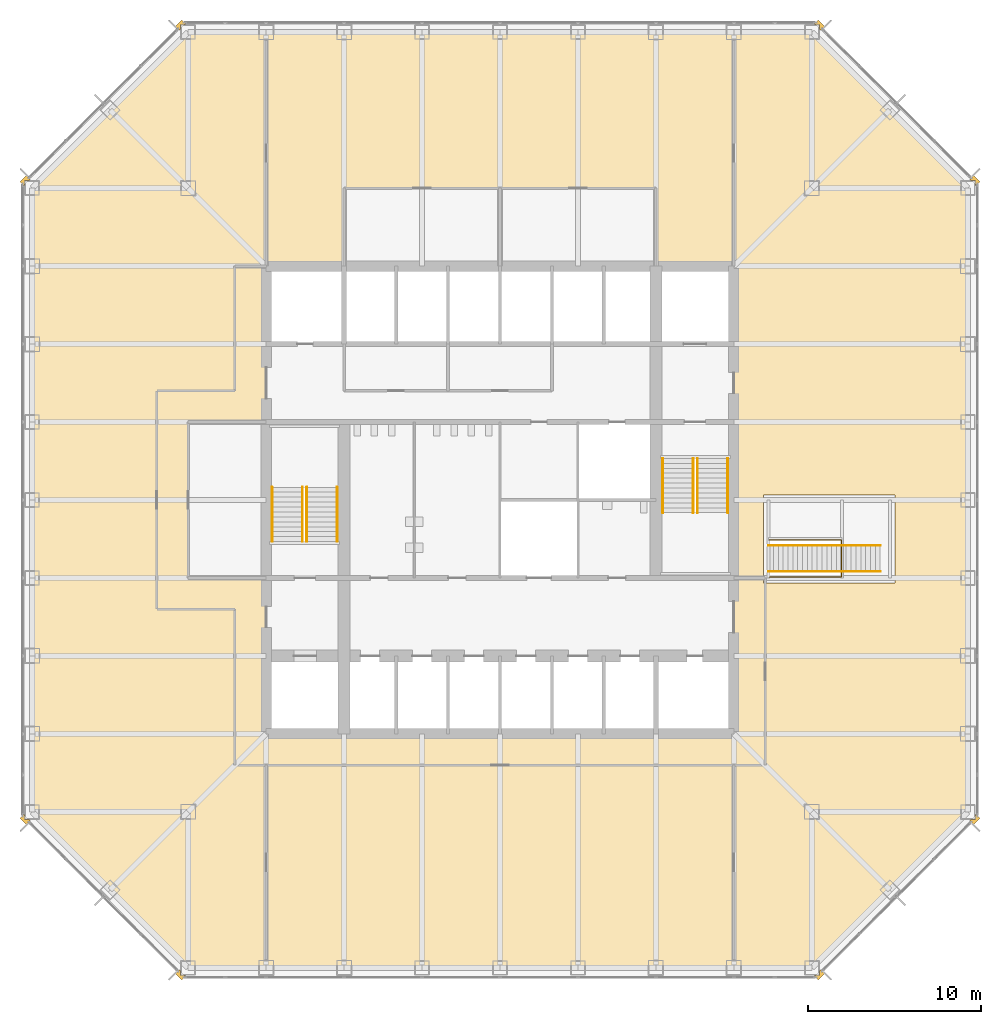
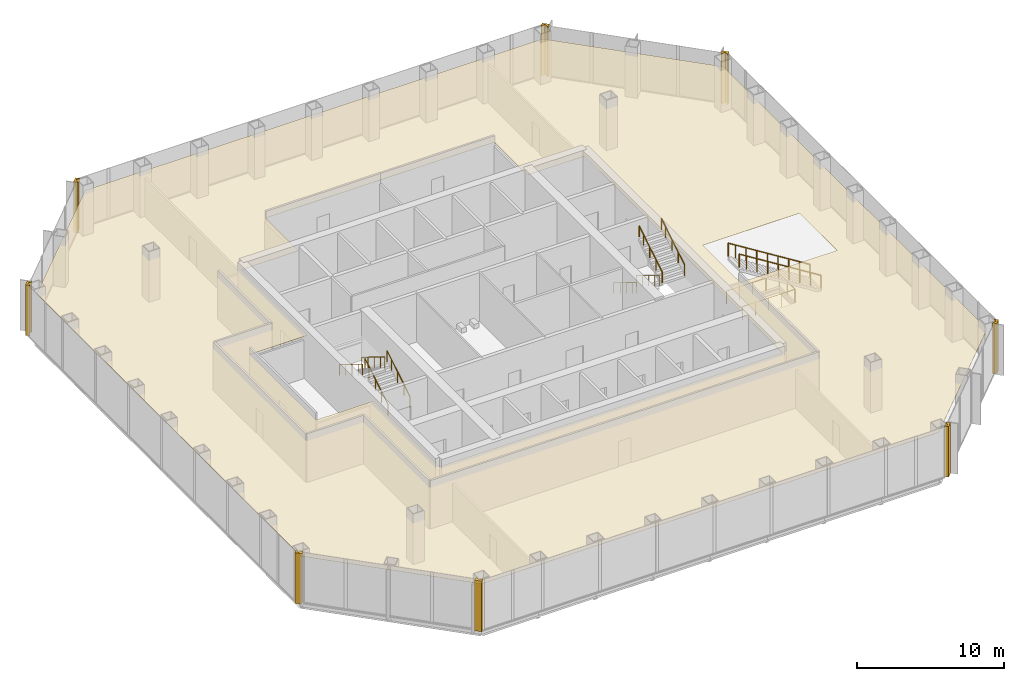
# One storey, part 11 of 12: 11 railings, 9 coverings.
"""IFC4 building model written with IfcOpenShell, lengths in metres."""

from ifc_helpers import new_model, si_unit, direction, frame, origin, origin_2d, place, context, subcontext, project, spatial, polyline, circle, outline, extrude, material, layer, layer_set, type_object, element, save


model = new_model("IFC4")

# Units and contexts
model_context = context("Model", 3, precision=1e-05, world=origin(), true_north=direction((0.0, 1.0)))
body_context = subcontext(model_context, "Body", "Model", "MODEL_VIEW")
ifc_project = project(units=[si_unit("LENGTHUNIT", "METRE"), si_unit("AREAUNIT", "SQUARE_METRE"), si_unit("VOLUMEUNIT", "CUBIC_METRE"), si_unit("PLANEANGLEUNIT", "RADIAN"), si_unit("MASSUNIT", "GRAM", prefix="KILO")], contexts=[model_context])

# Site, building, storey
site_placement = place(None, origin())
site = spatial("IfcSite", under=ifc_project, at=site_placement, CompositionType="ELEMENT")
building_placement = place(site_placement, origin())
building = spatial("IfcBuilding", under=site, at=building_placement, Name="Corais Broadcast Tower", CompositionType="ELEMENT")
storey_placement = place(building_placement, frame((0.0, 0.0, 37.39990234375)))
storey = spatial("IfcBuildingStorey", under=building, at=storey_placement, Name="L07", CompositionType="ELEMENT", Elevation=37.39990234375)

# Railings
ifc_material_1 = material(Name="Laminated glass and stainless steel guard", Category="steel")
railing_type_1 = type_object("IfcRailingType", Name="Glass guard 1100", PredefinedType="GUARDRAIL", material=ifc_material_1)
railing_placement = place(storey_placement, frame((42.550048828125, 22.550048828125, 0.0)))
element("IfcRailing", 1, at=railing_placement, inside=storey, type_object=railing_type_1, Name="GR1 guard L07", PredefinedType="GUARDRAIL", context=body_context, shape_type="SweptSolid", body=[
    extrude(circle(Radius=0.02392578125, at=origin_2d()), frame((0.0, 0.0, 1.076171875), z_axis=(1.0, 0.0, 0.0), x_axis=(0.0, 1.0, 0.0)), (0.0, 0.0, 1.0), 4.14990234375),
    extrude(circle(Radius=0.02392578125, at=origin_2d()), frame((4.14990234375, 0.0, 1.076171875), z_axis=(0.0, 1.0, 0.0), x_axis=(-1.0, 0.0, 0.0)), (0.0, 0.0, 1.0), 2.14990234375),
    extrude(circle(Radius=0.02392578125, at=origin_2d()), frame((4.14990234375, 2.14990234375, 1.076171875), z_axis=(-1.0, 0.0, 0.0), x_axis=(0.0, -1.0, 0.0)), (0.0, 0.0, 1.0), 4.14990234375),
    extrude(circle(Radius=0.02099609375, at=origin_2d()), origin(), (0.0, 0.0, 1.0), 1.052001953125),
    extrude(circle(Radius=0.02099609375, at=origin_2d()), frame((1.03759765625, 0.0, 0.0)), (0.0, 0.0, 1.0), 1.052001953125),
    extrude(circle(Radius=0.02099609375, at=origin_2d()), frame((2.074951171875, 0.0, 0.0)), (0.0, 0.0, 1.0), 1.052001953125),
    extrude(circle(Radius=0.02099609375, at=origin_2d()), frame((3.1123046875, 0.0, 0.0)), (0.0, 0.0, 1.0), 1.052001953125),
    extrude(circle(Radius=0.02099609375, at=origin_2d()), frame((4.14990234375, 0.0, 0.0)), (0.0, 0.0, 1.0), 1.052001953125),
    extrude(circle(Radius=0.02099609375, at=origin_2d()), frame((4.14990234375, 1.074951171875, 0.0)), (0.0, 0.0, 1.0), 1.052001953125),
    extrude(circle(Radius=0.02099609375, at=origin_2d()), frame((4.14990234375, 2.14990234375, 0.0)), (0.0, 0.0, 1.0), 1.052001953125),
    extrude(circle(Radius=0.02099609375, at=origin_2d()), frame((3.1123046875, 2.14990234375, 0.0)), (0.0, 0.0, 1.0), 1.052001953125),
    extrude(circle(Radius=0.02099609375, at=origin_2d()), frame((2.074951171875, 2.14990234375, 0.0)), (0.0, 0.0, 1.0), 1.052001953125),
    extrude(circle(Radius=0.02099609375, at=origin_2d()), frame((1.03759765625, 2.14990234375, 0.0)), (0.0, 0.0, 1.0), 1.052001953125),
    extrude(circle(Radius=0.02099609375, at=origin_2d()), frame((0.0, 2.14990234375, 0.0)), (0.0, 0.0, 1.0), 1.052001953125),
])
for number, where, name in (
    (2, (48.93994140625, 24.375, 0.175048828125), "GR1 L07"),
    (3, (48.93994140625, 22.875, 0.175048828125), "GR1 L07"),
):
    element("IfcRailing", number, at=place(storey_placement, frame(where)), inside=storey, type_object=railing_type_1, Name=name, PredefinedType="GUARDRAIL", context=body_context, shape_type="SweptSolid", body=[
        extrude(circle(Radius=0.02392578125, at=origin_2d()), frame((0.0, 0.0, 1.076171875), z_axis=(-0.847987467583, 0.0, 0.530016277884), x_axis=(0.0, -1.0, 0.0)), (0.0, 0.0, 1.0), 7.594482421875),
        extrude(circle(Radius=0.02099609375, at=origin_2d()), origin(), (0.0, 0.0, 1.0), 1.052001953125),
        extrude(circle(Radius=0.02099609375, at=origin_2d()), frame((-0.840087890625, 0.0, 0.52490234375)), (0.0, 0.0, 1.0), 1.052001953125),
        extrude(circle(Radius=0.02099609375, at=origin_2d()), frame((-1.679931640625, 0.0, 1.050048828125)), (0.0, 0.0, 1.0), 1.052001953125),
        extrude(circle(Radius=0.02099609375, at=origin_2d()), frame((-2.52001953125, 0.0, 1.574951171875)), (0.0, 0.0, 1.0), 1.052001953125),
        extrude(circle(Radius=0.02099609375, at=origin_2d()), frame((-3.35986328125, 0.0, 2.10009765625)), (0.0, 0.0, 1.0), 1.052001953125),
        extrude(circle(Radius=0.02099609375, at=origin_2d()), frame((-4.199951171875, 0.0, 2.625)), (0.0, 0.0, 1.0), 1.052001953125),
        extrude(circle(Radius=0.02099609375, at=origin_2d()), frame((-5.0400390625, 0.0, 3.150146484375)), (0.0, 0.0, 1.0), 1.052001953125),
        extrude(circle(Radius=0.02099609375, at=origin_2d()), frame((-5.8798828125, 0.0, 3.675048828125)), (0.0, 0.0, 1.0), 1.052001953125),
        extrude(circle(Radius=0.02099609375, at=origin_2d()), frame((-6.43994140625, 0.0, 4.025146484375)), (0.0, 0.0, 1.0), 1.052001953125),
    ])
ifc_material_2 = material(Name="Stainless steel handrail", Category="steel")
railing_type_2 = type_object("IfcRailingType", Name="Handrail 920", PredefinedType="HANDRAIL", material=ifc_material_2)
for number, where, name in (
    (4, (17.60009765625, 24.60009765625, 0.175048828125), "HR1 L07"),
    (5, (15.85009765625, 24.60009765625, 0.175048828125), "HR1 L07"),
):
    element("IfcRailing", number, at=place(storey_placement, frame(where)), inside=storey, type_object=railing_type_2, Name=name, PredefinedType="HANDRAIL", context=body_context, shape_type="SweptSolid", body=[
        extrude(circle(Radius=0.02392578125, at=origin_2d()), frame((0.0, 0.0, 0.89599609375), z_axis=(0.0, 0.852166034122, 0.523271488128), x_axis=(-1.0, 0.0, 0.0)), (0.0, 0.0, 1.0), 3.678955078125),
        extrude(circle(Radius=0.02099609375, at=origin_2d()), origin(), (0.0, 0.0, 1.0), 0.871826171875),
        extrude(circle(Radius=0.02099609375, at=origin_2d()), frame((0.0, 0.85498046875, 0.52490234375)), (0.0, 0.0, 1.0), 0.871826171875),
        extrude(circle(Radius=0.02099609375, at=origin_2d()), frame((0.0, 1.7099609375, 1.050048828125)), (0.0, 0.0, 1.0), 0.871826171875),
        extrude(circle(Radius=0.02099609375, at=origin_2d()), frame((0.0, 2.56494140625, 1.574951171875)), (0.0, 0.0, 1.0), 0.871826171875),
        extrude(circle(Radius=0.02099609375, at=origin_2d()), frame((0.0, 3.135009765625, 1.925048828125)), (0.0, 0.0, 1.0), 0.871826171875),
    ])
for number, where, name in (
    (6, (13.85009765625, 27.735107421875, 2.275146484375), "HR1 L07"),
    (7, (15.60009765625, 27.735107421875, 2.275146484375), "HR1 L07"),
    (8, (36.39990234375, 29.39990234375, 0.175048828125), "HR1 L07"),
    (9, (38.14990234375, 29.39990234375, 0.175048828125), "HR1 L07"),
):
    element("IfcRailing", number, at=place(storey_placement, frame(where)), inside=storey, type_object=railing_type_2, Name=name, PredefinedType="HANDRAIL", context=body_context, shape_type="SweptSolid", body=[
        extrude(circle(Radius=0.02392578125, at=origin_2d()), frame((0.0, 0.0, 0.89599609375), z_axis=(0.0, -0.852166034122, 0.523271488128), x_axis=(1.0, 0.0, 0.0)), (0.0, 0.0, 1.0), 3.678955078125),
        extrude(circle(Radius=0.02099609375, at=origin_2d()), origin(), (0.0, 0.0, 1.0), 0.871826171875),
        extrude(circle(Radius=0.02099609375, at=origin_2d()), frame((0.0, -0.85498046875, 0.52490234375)), (0.0, 0.0, 1.0), 0.871826171875),
        extrude(circle(Radius=0.02099609375, at=origin_2d()), frame((0.0, -1.7099609375, 1.050048828125)), (0.0, 0.0, 1.0), 0.871826171875),
        extrude(circle(Radius=0.02099609375, at=origin_2d()), frame((0.0, -2.56494140625, 1.574951171875)), (0.0, 0.0, 1.0), 0.871826171875),
        extrude(circle(Radius=0.02099609375, at=origin_2d()), frame((0.0, -3.135009765625, 1.925048828125)), (0.0, 0.0, 1.0), 0.871826171875),
    ])
for number, where, name in (
    (10, (40.14990234375, 26.264892578125, 2.275146484375), "HR1 L07"),
    (11, (38.39990234375, 26.264892578125, 2.275146484375), "HR1 L07"),
):
    element("IfcRailing", number, at=place(storey_placement, frame(where)), inside=storey, type_object=railing_type_2, Name=name, PredefinedType="HANDRAIL", context=body_context, shape_type="SweptSolid", body=[
        extrude(circle(Radius=0.02392578125, at=origin_2d()), frame((0.0, 0.0, 0.89599609375), z_axis=(0.0, 0.852166034122, 0.523271488128), x_axis=(-1.0, 0.0, 0.0)), (0.0, 0.0, 1.0), 3.678955078125),
        extrude(circle(Radius=0.02099609375, at=origin_2d()), origin(), (0.0, 0.0, 1.0), 0.871826171875),
        extrude(circle(Radius=0.02099609375, at=origin_2d()), frame((0.0, 0.85498046875, 0.52490234375)), (0.0, 0.0, 1.0), 0.871826171875),
        extrude(circle(Radius=0.02099609375, at=origin_2d()), frame((0.0, 1.7099609375, 1.050048828125)), (0.0, 0.0, 1.0), 0.871826171875),
        extrude(circle(Radius=0.02099609375, at=origin_2d()), frame((0.0, 2.56494140625, 1.574951171875)), (0.0, 0.0, 1.0), 0.871826171875),
        extrude(circle(Radius=0.02099609375, at=origin_2d()), frame((0.0, 3.135009765625, 1.925048828125)), (0.0, 0.0, 1.0), 0.871826171875),
    ])

# Coverings
ifc_material_3 = material(Name="Granite stone cladding", Category="masonry")
ifc_layer_1 = layer(ifc_material_3, 0.324951171875)
ifc_layer_set_1 = layer_set([ifc_layer_1], Name="Granite stone cladding")
covering_type_1 = type_object("IfcCoveringType", Name="Stone corner pier cladding 500x325", PredefinedType="CLADDING", material=ifc_layer_set_1)
covering_1_placement = place(storey_placement, origin())
element("IfcCovering", 12, at=covering_1_placement, inside=storey, type_object=covering_type_1, Name="SP1 stone corner pier L07", PredefinedType="CLADDING", context=body_context, shape_type="SweptSolid", body=[
    extrude(outline(polyline([(8.860595703125, -0.461669921875), (8.84912109375, -0.449951171875), (8.550048828125, -0.449951171875), (8.550048828125, -0.15087890625), (8.507080078125, -0.108154296875), (8.277099609375, -0.337890625), (8.630859375, -0.69140625), (8.860595703125, -0.461669921875)])), origin(), (0.0, 0.0, 1.0), 4.2001953125),
])
covering_2_placement = place(storey_placement, origin())
element("IfcCovering", 13, at=covering_2_placement, inside=storey, type_object=covering_type_1, Name="SP1 stone corner pier L07", PredefinedType="CLADDING", context=body_context, shape_type="SweptSolid", body=[
    extrude(outline(polyline([(-0.449951171875, 8.84912109375), (-0.461669921875, 8.860595703125), (-0.69140625, 8.630859375), (-0.337890625, 8.277099609375), (-0.108154296875, 8.507080078125), (-0.15087890625, 8.550048828125), (-0.449951171875, 8.550048828125), (-0.449951171875, 8.84912109375)])), origin(), (0.0, 0.0, 1.0), 4.2001953125),
])
covering_3_placement = place(storey_placement, origin())
element("IfcCovering", 14, at=covering_3_placement, inside=storey, type_object=covering_type_1, Name="SP1 stone corner pier L07", PredefinedType="CLADDING", context=body_context, shape_type="SweptSolid", body=[
    extrude(outline(polyline([(-0.461669921875, 45.139404296875), (-0.449951171875, 45.15087890625), (-0.449951171875, 45.449951171875), (-0.15087890625, 45.449951171875), (-0.108154296875, 45.492919921875), (-0.337890625, 45.722900390625), (-0.69140625, 45.369140625), (-0.461669921875, 45.139404296875)])), origin(), (0.0, 0.0, 1.0), 4.2001953125),
])
covering_4_placement = place(storey_placement, origin())
element("IfcCovering", 15, at=covering_4_placement, inside=storey, type_object=covering_type_1, Name="SP1 stone corner pier L07", PredefinedType="CLADDING", context=body_context, shape_type="SweptSolid", body=[
    extrude(outline(polyline([(8.84912109375, 54.449951171875), (8.860595703125, 54.461669921875), (8.630859375, 54.69140625), (8.277099609375, 54.337890625), (8.507080078125, 54.108154296875), (8.550048828125, 54.15087890625), (8.550048828125, 54.449951171875), (8.84912109375, 54.449951171875)])), origin(), (0.0, 0.0, 1.0), 4.2001953125),
])
covering_5_placement = place(storey_placement, origin())
element("IfcCovering", 16, at=covering_5_placement, inside=storey, type_object=covering_type_1, Name="SP1 stone corner pier L07", PredefinedType="CLADDING", context=body_context, shape_type="SweptSolid", body=[
    extrude(outline(polyline([(45.139404296875, 54.461669921875), (45.15087890625, 54.449951171875), (45.449951171875, 54.449951171875), (45.449951171875, 54.15087890625), (45.492919921875, 54.108154296875), (45.722900390625, 54.337890625), (45.369140625, 54.69140625), (45.139404296875, 54.461669921875)])), origin(), (0.0, 0.0, 1.0), 4.2001953125),
])
covering_6_placement = place(storey_placement, origin())
element("IfcCovering", 17, at=covering_6_placement, inside=storey, type_object=covering_type_1, Name="SP1 stone corner pier L07", PredefinedType="CLADDING", context=body_context, shape_type="SweptSolid", body=[
    extrude(outline(polyline([(54.449951171875, 45.15087890625), (54.461669921875, 45.139404296875), (54.69140625, 45.369140625), (54.337890625, 45.722900390625), (54.108154296875, 45.492919921875), (54.15087890625, 45.449951171875), (54.449951171875, 45.449951171875), (54.449951171875, 45.15087890625)])), origin(), (0.0, 0.0, 1.0), 4.2001953125),
])
covering_7_placement = place(storey_placement, origin())
element("IfcCovering", 18, at=covering_7_placement, inside=storey, type_object=covering_type_1, Name="SP1 stone corner pier L07", PredefinedType="CLADDING", context=body_context, shape_type="SweptSolid", body=[
    extrude(outline(polyline([(54.461669921875, 8.860595703125), (54.449951171875, 8.84912109375), (54.449951171875, 8.550048828125), (54.15087890625, 8.550048828125), (54.108154296875, 8.507080078125), (54.337890625, 8.277099609375), (54.69140625, 8.630859375), (54.461669921875, 8.860595703125)])), origin(), (0.0, 0.0, 1.0), 4.2001953125),
])
covering_8_placement = place(storey_placement, origin())
element("IfcCovering", 19, at=covering_8_placement, inside=storey, type_object=covering_type_1, Name="SP1 stone corner pier L07", PredefinedType="CLADDING", context=body_context, shape_type="SweptSolid", body=[
    extrude(outline(polyline([(45.15087890625, -0.449951171875), (45.139404296875, -0.461669921875), (45.369140625, -0.69140625), (45.722900390625, -0.337890625), (45.492919921875, -0.108154296875), (45.449951171875, -0.15087890625), (45.449951171875, -0.449951171875), (45.15087890625, -0.449951171875)])), origin(), (0.0, 0.0, 1.0), 4.2001953125),
])
ifc_material_4 = material(Name="Mineral fibre ceiling tile", Category="mineral")
ifc_layer_2 = layer(ifc_material_4, 0.02001953125)
ifc_layer_set_2 = layer_set([ifc_layer_2], Name="Mineral fibre ceiling tile")
covering_type_2 = type_object("IfcCoveringType", Name="Suspended ceiling", PredefinedType="CEILING", material=ifc_layer_set_2)
covering_9_placement = place(storey_placement, frame((0.0, 0.0, 3.420166015625)))
element("IfcCovering", 20, at=covering_9_placement, inside=storey, type_object=covering_type_2, Name="CE1 ceiling L07", PredefinedType="CEILING", context=body_context, shape_type="SweptSolid", body=[
    extrude(outline(polyline([(0.0, 9.0), (0.0, 45.0), (9.0, 54.0), (45.0, 54.0), (54.0, 45.0), (54.0, 9.0), (45.0, 0.0), (9.0, 0.0), (0.0, 9.0)]), holes=[polyline([(9.0, 31.5), (9.0, 22.5), (13.5, 22.5), (13.5, 13.5), (40.5, 13.5), (40.5, 40.5), (36.0, 40.5), (36.0, 45.0), (18.0, 45.0), (18.0, 40.5), (13.5, 40.5), (13.5, 31.5), (9.0, 31.5)]), polyline([(49.800048828125, 27.300048828125), (42.199951171875, 27.300048828125), (42.199951171875, 22.199951171875), (49.800048828125, 22.199951171875), (49.800048828125, 27.300048828125)])]), origin(), (0.0, 0.0, 1.0), 0.02001953125),
])

save(model, "model.ifc")
